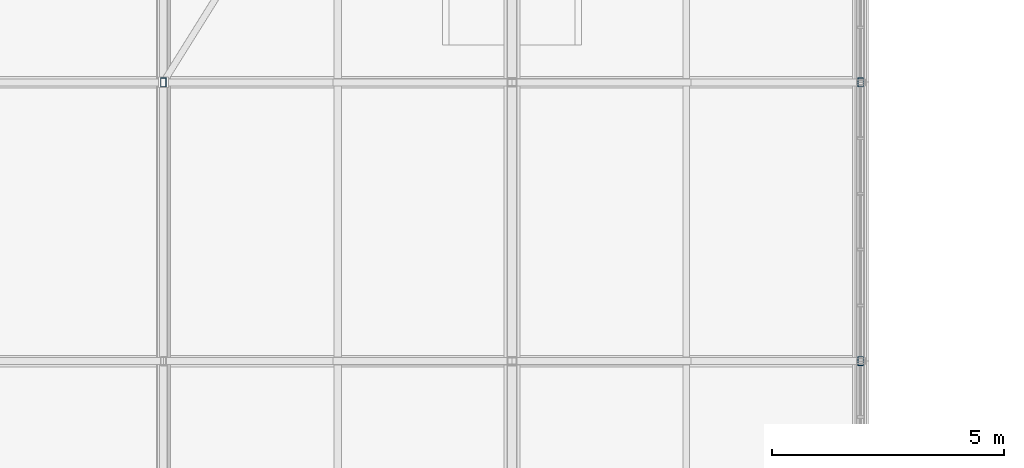
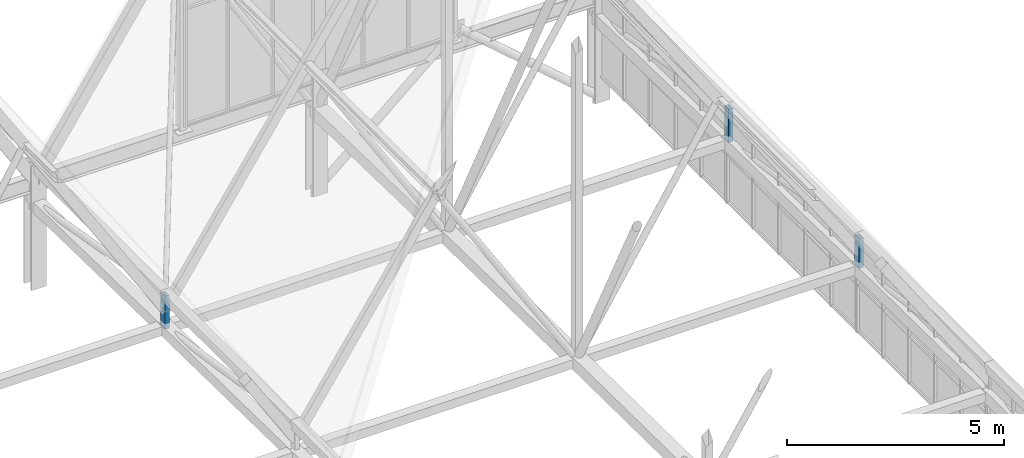
# One storey, part 264 of 324: 3 members.
"""IFC4 building model written with IfcOpenShell, lengths in metres."""

from ifc_helpers import new_model, si_unit, direction, frame, origin, origin_2d, place, context, subcontext, project, spatial, hollow_rectangle, extrude, material, material_profile, profile_set, type_object, element, save


model = new_model("IFC4")

# Units and contexts
model_context = context("Model", 3, precision=1e-05, world=origin(), true_north=direction((0.0, 1.0)))
body_context = subcontext(model_context, "Body", "Model", "MODEL_VIEW")
ifc_project = project(units=[si_unit("LENGTHUNIT", "METRE"), si_unit("AREAUNIT", "SQUARE_METRE"), si_unit("VOLUMEUNIT", "CUBIC_METRE"), si_unit("PLANEANGLEUNIT", "RADIAN"), si_unit("MASSUNIT", "GRAM", prefix="KILO")], contexts=[model_context])

# Site, building, storey
site_placement = place(None, origin())
site = spatial("IfcSite", under=ifc_project, at=site_placement, CompositionType="ELEMENT")
building_placement = place(site_placement, origin())
building = spatial("IfcBuilding", under=site, at=building_placement, Name="Solvenia Promenade Tram Depot", CompositionType="ELEMENT")
storey_placement = place(building_placement, frame((0.0, 0.0, 4.5)))
storey = spatial("IfcBuildingStorey", under=building, at=storey_placement, Name="L01", CompositionType="ELEMENT", Elevation=4.5)

# Members
ifc_material = material(Name="Structural steel ASTM A500 Gr. C", Category="steel")
ifc_material_profile = material_profile(ifc_material, hollow_rectangle(XDim=0.1201171875, YDim=0.199951171875, WallThickness=0.008056640625, at=origin_2d()), Name="HSS200x120x8", Category="steel")
ifc_profile_set = profile_set([ifc_material_profile], Name="Structural steel ASTM A500 Gr. C")
member_type = type_object("IfcMemberType", Name="Post-HSS200x120x8", PredefinedType="POST", material=ifc_profile_set)
member_1_placement = place(storey_placement, frame((135.0, 120.0, 2.446044921875), z_axis=(0.0, 0.0, 1.0), x_axis=(1.0, 0.0, 0.0)))
element("IfcMember", 1, at=member_1_placement, inside=storey, type_object=member_type, Name="Arched Truss T19 Web Post S09", PredefinedType="POST", context=body_context, shape_type="SweptSolid", body=[
    extrude(hollow_rectangle(XDim=0.1201171875, YDim=0.199951171875, WallThickness=0.008056640625, at=origin_2d()), origin(), (0.0, 0.0, 1.0), 0.933837890625),
])
member_2_placement = place(storey_placement, frame((150.0, 114.0, 2.5439453125), z_axis=(0.0, 0.0, 1.0), x_axis=(1.0, 0.0, 0.0)))
element("IfcMember", 2, at=member_2_placement, inside=storey, type_object=member_type, Name="Arched Truss T21 Web Post S08", PredefinedType="POST", context=body_context, shape_type="SweptSolid", body=[
    extrude(hollow_rectangle(XDim=0.1201171875, YDim=0.199951171875, WallThickness=0.008056640625, at=origin_2d()), origin(), (0.0, 0.0, 1.0), 0.8359375),
])
member_3_placement = place(storey_placement, frame((150.0, 120.0, 2.446044921875), z_axis=(0.0, 0.0, 1.0), x_axis=(1.0, 0.0, 0.0)))
element("IfcMember", 3, at=member_3_placement, inside=storey, type_object=member_type, Name="Arched Truss T21 Web Post S09", PredefinedType="POST", context=body_context, shape_type="SweptSolid", body=[
    extrude(hollow_rectangle(XDim=0.1201171875, YDim=0.199951171875, WallThickness=0.008056640625, at=origin_2d()), origin(), (0.0, 0.0, 1.0), 0.933837890625),
])

save(model, "model.ifc")
